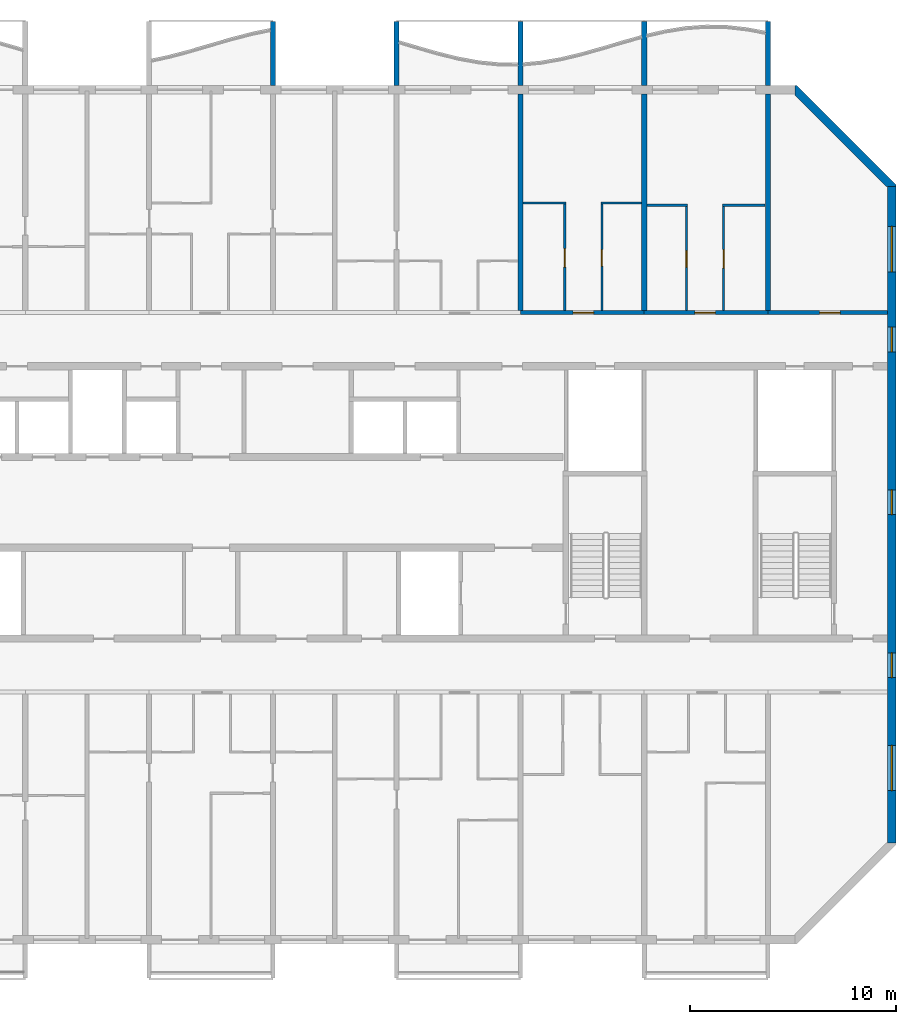
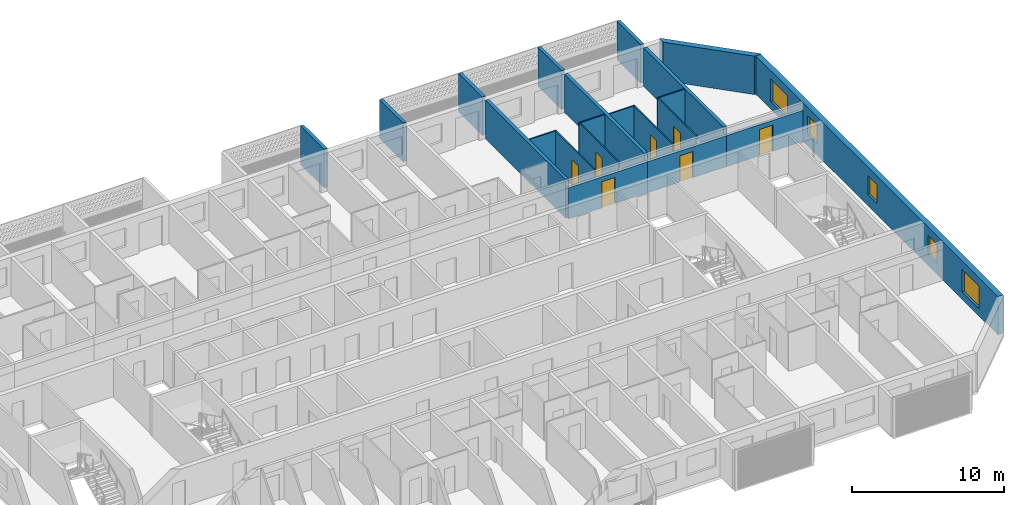
# One storey, part 10 of 26: 21 walls, 7 doors, 5 windows, 12 openings.
"""IFC4 building model written with IfcOpenShell, lengths in metres."""

from ifc_helpers import new_model, si_unit, direction, frame, frame_2d, origin, place, context, subcontext, project, spatial, polyline, rectangle, outline, extrude, source, transform, mapped, material, layer, layer_set, type_object, element, fill, save


model = new_model("IFC4")

# Units and contexts
model_context = context("Model", 3, precision=1e-05, world=origin(), true_north=direction((0.0, 1.0)))
body_context = subcontext(model_context, "Body", "Model", "MODEL_VIEW")
ifc_project = project(units=[si_unit("LENGTHUNIT", "METRE"), si_unit("AREAUNIT", "SQUARE_METRE"), si_unit("VOLUMEUNIT", "CUBIC_METRE"), si_unit("PLANEANGLEUNIT", "RADIAN"), si_unit("MASSUNIT", "GRAM", prefix="KILO")], contexts=[model_context])

# Site, building, storey
site_placement = place(None, origin())
site = spatial("IfcSite", under=ifc_project, at=site_placement, CompositionType="ELEMENT")
building_placement = place(site_placement, origin())
building = spatial("IfcBuilding", under=site, at=building_placement, Name="Poui Terraces", CompositionType="ELEMENT")
storey_placement = place(building_placement, frame((0.0, 0.0, 228.0)))
storey = spatial("IfcBuildingStorey", under=building, at=storey_placement, Name="L63", CompositionType="ELEMENT", Elevation=228.0)

# Wall, opening, door
ifc_material_1 = material(Name="Concrete 50 MPa", Category="concrete")
ifc_layer_1 = layer(ifc_material_1, 0.199951171875)
ifc_layer_set_1 = layer_set([ifc_layer_1], Name="Concrete 50 MPa")
wall_type_1 = type_object("IfcWallType", Name="CORRIDOR WALL 200 50MPa", PredefinedType="SHEAR", material=ifc_layer_set_1)
wall_1_placement = place(storey_placement, frame((66.0, 30.39990234375, 0.0), z_axis=(0.0, 0.0, 1.0), x_axis=(1.0, 0.0, 0.0)))
wall_1 = element("IfcWall", 1, at=wall_1_placement, inside=storey, type_object=wall_type_1, Name="CORRIDOR WALL LINE E BAY 9", PredefinedType="SHEAR", context=body_context, shape_type="SweptSolid", body=[
    extrude(rectangle(XDim=6.0, YDim=0.199951171875, at=frame_2d((3.0, 0.0))), origin(), (0.0, 0.0, 1.0), 2.47998046875),
])
opening_1_placement = place(wall_1_placement, frame((2.550048828125, 0.0, 0.0)))
opening_1 = element("IfcOpeningElement", 2, at=opening_1_placement, cuts=wall_1, Name="Opening FD30S", PredefinedType="OPENING", context=body_context, shape_type="SweptSolid", body=[
    extrude(rectangle(XDim=1.0, YDim=2.10009765625, at=frame_2d((0.5, 1.050048828125))), frame((0.0, 0.10986328125, 0.0), z_axis=(0.0, -1.0, 0.0), x_axis=(1.0, 0.0, 0.0)), (0.0, 0.0, 1.0), 0.219970703125),
])
ifc_material_2 = material(Name="Steel fire door", Category="steel")
door_type_1 = type_object("IfcDoorType", Name="FLAT ENTRANCE DOOR 1000 X 2100", OperationType="NOTDEFINED", PredefinedType="DOOR", material=ifc_material_2)
door_1_placement = place(opening_1_placement, origin())
door_1 = element("IfcDoor", 3, at=door_1_placement, inside=storey, type_object=door_type_1, Name="FLAT ENTRANCE DOOR 052", OperationType="SINGLE_SWING_RIGHT", OverallHeight=2.10009765625, OverallWidth=1.0, PredefinedType="DOOR", context=body_context, shape_type="SweptSolid", body=[
    extrude(rectangle(XDim=1.0, YDim=2.10009765625, at=frame_2d((0.5, 1.050048828125))), frame((0.0, 0.02490234375, 0.0), z_axis=(0.0, -1.0, 0.0), x_axis=(1.0, 0.0, 0.0)), (0.0, 0.0, 1.0), 0.050048828125),
])
fill(opening_1, door_1)

wall_2_placement = place(storey_placement, frame((72.0, 30.39990234375, 0.0), z_axis=(0.0, 0.0, 1.0), x_axis=(1.0, 0.0, 0.0)))
wall_2 = element("IfcWall", 4, at=wall_2_placement, inside=storey, type_object=wall_type_1, Name="CORRIDOR WALL LINE E BAY 10", PredefinedType="SHEAR", context=body_context, shape_type="SweptSolid", body=[
    extrude(rectangle(XDim=6.0, YDim=0.199951171875, at=frame_2d((3.0, 0.0))), origin(), (0.0, 0.0, 1.0), 2.47998046875),
])
opening_2_placement = place(wall_2_placement, frame((2.449951171875, 0.0, 0.0)))
opening_2 = element("IfcOpeningElement", 5, at=opening_2_placement, cuts=wall_2, Name="Opening FD30S", PredefinedType="OPENING", context=body_context, shape_type="SweptSolid", body=[
    extrude(rectangle(XDim=1.0, YDim=2.10009765625, at=frame_2d((0.5, 1.050048828125))), frame((0.0, 0.10986328125, 0.0), z_axis=(0.0, -1.0, 0.0), x_axis=(1.0, 0.0, 0.0)), (0.0, 0.0, 1.0), 0.219970703125),
])
door_2_placement = place(opening_2_placement, origin())
door_2 = element("IfcDoor", 6, at=door_2_placement, inside=storey, type_object=door_type_1, Name="FLAT ENTRANCE DOOR 055", OperationType="SINGLE_SWING_LEFT", OverallHeight=2.10009765625, OverallWidth=1.0, PredefinedType="DOOR", context=body_context, shape_type="SweptSolid", body=[
    extrude(rectangle(XDim=1.0, YDim=2.10009765625, at=frame_2d((0.5, 1.050048828125))), frame((0.0, 0.02490234375, 0.0), z_axis=(0.0, -1.0, 0.0), x_axis=(1.0, 0.0, 0.0)), (0.0, 0.0, 1.0), 0.050048828125),
])
fill(opening_2, door_2)

wall_3_placement = place(storey_placement, frame((78.0, 30.39990234375, 0.0), z_axis=(0.0, 0.0, 1.0), x_axis=(1.0, 0.0, 0.0)))
wall_3 = element("IfcWall", 7, at=wall_3_placement, inside=storey, type_object=wall_type_1, Name="CORRIDOR WALL LINE E BAY 11", PredefinedType="SHEAR", context=body_context, shape_type="SweptSolid", body=[
    extrude(rectangle(XDim=5.800048828125, YDim=0.199951171875, at=frame_2d((2.89990234375, 0.0))), origin(), (0.0, 0.0, 1.0), 2.47998046875),
])
opening_3_placement = place(wall_3_placement, frame((2.5, 0.0, 0.0)))
opening_3 = element("IfcOpeningElement", 8, at=opening_3_placement, cuts=wall_3, Name="Opening D100", PredefinedType="OPENING", context=body_context, shape_type="SweptSolid", body=[
    extrude(rectangle(XDim=1.0, YDim=2.10009765625, at=frame_2d((0.5, 1.050048828125))), frame((0.0, 0.10986328125, 0.0), z_axis=(0.0, -1.0, 0.0), x_axis=(1.0, 0.0, 0.0)), (0.0, 0.0, 1.0), 0.219970703125),
])
ifc_material_3 = material(Name="Solid core timber door", Category="wood")
door_type_2 = type_object("IfcDoorType", Name="ACCESSIBLE INTERNAL DOOR 1000 X 2100", OperationType="NOTDEFINED", PredefinedType="DOOR", material=ifc_material_3)
door_3_placement = place(opening_3_placement, origin())
door_3 = element("IfcDoor", 9, at=door_3_placement, inside=storey, type_object=door_type_2, Name="ACCESSIBLE INTERNAL DOOR 057", OperationType="SINGLE_SWING_LEFT", OverallHeight=2.10009765625, OverallWidth=1.0, PredefinedType="DOOR", context=body_context, shape_type="SweptSolid", body=[
    extrude(rectangle(XDim=1.0, YDim=2.10009765625, at=frame_2d((0.5, 1.050048828125))), frame((0.0, 0.02490234375, 0.0), z_axis=(0.0, -1.0, 0.0), x_axis=(1.0, 0.0, 0.0)), (0.0, 0.0, 1.0), 0.050048828125),
])
fill(opening_3, door_3)

# Walls
ifc_layer_2 = layer(ifc_material_1, 0.25)
ifc_layer_set_2 = layer_set([ifc_layer_2], Name="Concrete 50 MPa")
wall_type_2 = type_object("IfcWallType", Name="CROSS WALL 250 50MPa", PredefinedType="SHEAR", material=ifc_layer_set_2)
for number, where, z_axis, x_axis, name in (
    (10, (66.0, 30.5, 0.0), (0.0, 0.0, 1.0), (0.0, 1.0, 0.0), "CROSS WALL LINE 12 NORTH"),
    (11, (72.0, 30.5, 0.0), (0.0, 0.0, 1.0), (0.0, 1.0, 0.0), "CROSS WALL LINE 13 NORTH"),
    (12, (78.0, 30.5, 0.0), (0.0, 0.0, 1.0), (0.0, 1.0, 0.0), "CROSS WALL LINE 14 NORTH"),
):
    element("IfcWall", number, at=place(storey_placement, frame(where, z_axis=z_axis, x_axis=x_axis)), inside=storey, type_object=wall_type_2, Name=name, PredefinedType="SHEAR", context=body_context, shape_type="SweptSolid", body=[
        extrude(rectangle(XDim=10.5, YDim=0.25, at=frame_2d((5.25, 0.0))), origin(), (0.0, 0.0, 1.0), 3.080078125),
    ])

# Wall, openings, windows
ifc_layer_3 = layer(ifc_material_1, 0.39990234375)
ifc_layer_set_3 = layer_set([ifc_layer_3], Name="Concrete 50 MPa")
wall_type_3 = type_object("IfcWallType", Name="END WALL 400 50MPa", PredefinedType="SHEAR", material=ifc_layer_set_3)
wall_4_placement = place(storey_placement, frame((84.0, 4.682861328125, 0.0), z_axis=(0.0, 0.0, 1.0), x_axis=(0.0, 1.0, 0.0)))
wall_4 = element("IfcWall", 13, at=wall_4_placement, inside=storey, type_object=wall_type_3, Name="END WALL EAST", PredefinedType="SHEAR", context=body_context, shape_type="SweptSolid", body=[
    extrude(rectangle(XDim=31.834228515625, YDim=0.39990234375, at=frame_2d((15.9169921875, 0.0))), origin(), (0.0, 0.0, 1.0), 3.080078125),
])
opening_4_placement = place(wall_4_placement, frame((23.817138671875, 0.0, 0.89990234375)))
opening_4 = element("IfcOpeningElement", 14, at=opening_4_placement, cuts=wall_4, Name="Opening W2", PredefinedType="OPENING", context=body_context, shape_type="SweptSolid", body=[
    extrude(rectangle(XDim=1.199951171875, YDim=1.5, at=frame_2d((0.60009765625, 0.75))), frame((0.0, 0.2099609375, 0.0), z_axis=(0.0, -1.0, 0.0), x_axis=(1.0, 0.0, 0.0)), (0.0, 0.0, 1.0), 0.419921875),
])
opening_5_placement = place(wall_4_placement, frame((8.01708984375, 0.0, 0.89990234375)))
opening_5 = element("IfcOpeningElement", 15, at=opening_5_placement, cuts=wall_4, Name="Opening W2", PredefinedType="OPENING", context=body_context, shape_type="SweptSolid", body=[
    extrude(rectangle(XDim=1.199951171875, YDim=1.5, at=frame_2d((0.60009765625, 0.75))), frame((0.0, 0.2099609375, 0.0), z_axis=(0.0, -1.0, 0.0), x_axis=(1.0, 0.0, 0.0)), (0.0, 0.0, 1.0), 0.419921875),
])
opening_6_placement = place(wall_4_placement, frame((27.693603515625, 0.0, 0.60009765625)))
opening_6 = element("IfcOpeningElement", 16, at=opening_6_placement, cuts=wall_4, Name="Opening W3", PredefinedType="OPENING", context=body_context, shape_type="SweptSolid", body=[
    extrude(rectangle(XDim=2.199951171875, YDim=1.800048828125, at=frame_2d((1.10009765625, 0.89990234375))), frame((0.0, 0.2099609375, 0.0), z_axis=(0.0, -1.0, 0.0), x_axis=(1.0, 0.0, 0.0)), (0.0, 0.0, 1.0), 0.419921875),
])
opening_7_placement = place(wall_4_placement, frame((2.541015625, 0.0, 0.60009765625)))
opening_7 = element("IfcOpeningElement", 17, at=opening_7_placement, cuts=wall_4, Name="Opening W3", PredefinedType="OPENING", context=body_context, shape_type="SweptSolid", body=[
    extrude(rectangle(XDim=2.199951171875, YDim=1.800048828125, at=frame_2d((1.10009765625, 0.89990234375))), frame((0.0, 0.2099609375, 0.0), z_axis=(0.0, -1.0, 0.0), x_axis=(1.0, 0.0, 0.0)), (0.0, 0.0, 1.0), 0.419921875),
])
opening_8_placement = place(wall_4_placement, frame((15.917236328125, 0.0, 0.89990234375)))
opening_8 = element("IfcOpeningElement", 18, at=opening_8_placement, cuts=wall_4, Name="Opening W2", PredefinedType="OPENING", context=body_context, shape_type="SweptSolid", body=[
    extrude(rectangle(XDim=1.199951171875, YDim=1.5, at=frame_2d((0.60009765625, 0.75))), frame((0.0, 0.2099609375, 0.0), z_axis=(0.0, -1.0, 0.0), x_axis=(1.0, 0.0, 0.0)), (0.0, 0.0, 1.0), 0.419921875),
])
ifc_material_4 = material(Name="Clear glass in aluminium frame", Category="aluminium")
window_type_1 = type_object("IfcWindowType", Name="WINDOW 1200X1500", PartitioningType="SINGLE_PANEL", PredefinedType="WINDOW", material=ifc_material_4)
window_1_placement = place(opening_4_placement, origin())
window_1 = element("IfcWindow", 19, at=window_1_placement, inside=storey, type_object=window_type_1, Name="W2 WINDOW", OverallHeight=1.5, OverallWidth=1.199951171875, PartitioningType="SINGLE_PANEL", PredefinedType="WINDOW", context=body_context, shape_type="SweptSolid", body=[
    extrude(rectangle(XDim=1.199951171875, YDim=1.5, at=frame_2d((0.60009765625, 0.75))), frame((0.0, 0.030029296875, 0.0), z_axis=(0.0, -1.0, 0.0), x_axis=(1.0, 0.0, 0.0)), (0.0, 0.0, 1.0), 0.06005859375),
])
fill(opening_4, window_1)
window_2_placement = place(opening_5_placement, origin())
window_2 = element("IfcWindow", 20, at=window_2_placement, inside=storey, type_object=window_type_1, Name="W2 WINDOW", OverallHeight=1.5, OverallWidth=1.199951171875, PartitioningType="SINGLE_PANEL", PredefinedType="WINDOW", context=body_context, shape_type="SweptSolid", body=[
    extrude(rectangle(XDim=1.199951171875, YDim=1.5, at=frame_2d((0.60009765625, 0.75))), frame((0.0, 0.030029296875, 0.0), z_axis=(0.0, -1.0, 0.0), x_axis=(1.0, 0.0, 0.0)), (0.0, 0.0, 1.0), 0.06005859375),
])
fill(opening_5, window_2)
window_3_placement = place(opening_8_placement, origin())
window_3 = element("IfcWindow", 21, at=window_3_placement, inside=storey, type_object=window_type_1, Name="W2 WINDOW", OverallHeight=1.5, OverallWidth=1.199951171875, PartitioningType="SINGLE_PANEL", PredefinedType="WINDOW", context=body_context, shape_type="SweptSolid", body=[
    extrude(rectangle(XDim=1.199951171875, YDim=1.5, at=frame_2d((0.60009765625, 0.75))), frame((0.0, 0.030029296875, 0.0), z_axis=(0.0, -1.0, 0.0), x_axis=(1.0, 0.0, 0.0)), (0.0, 0.0, 1.0), 0.06005859375),
])
fill(opening_8, window_3)
window_type_2 = type_object("IfcWindowType", Name="WINDOW 2200X1800", PartitioningType="DOUBLE_PANEL_HORIZONTAL", PredefinedType="WINDOW", material=ifc_material_4)
window_4_placement = place(opening_6_placement, origin())
window_4 = element("IfcWindow", 22, at=window_4_placement, inside=storey, type_object=window_type_2, Name="W3 WINDOW", OverallHeight=1.800048828125, OverallWidth=2.199951171875, PartitioningType="DOUBLE_PANEL_HORIZONTAL", PredefinedType="WINDOW", context=body_context, shape_type="SweptSolid", body=[
    extrude(rectangle(XDim=2.199951171875, YDim=1.800048828125, at=frame_2d((1.10009765625, 0.89990234375))), frame((0.0, 0.030029296875, 0.0), z_axis=(0.0, -1.0, 0.0), x_axis=(1.0, 0.0, 0.0)), (0.0, 0.0, 1.0), 0.06005859375),
])
fill(opening_6, window_4)
window_5_placement = place(opening_7_placement, origin())
window_5 = element("IfcWindow", 23, at=window_5_placement, inside=storey, type_object=window_type_2, Name="W3 WINDOW", OverallHeight=1.800048828125, OverallWidth=2.199951171875, PartitioningType="DOUBLE_PANEL_HORIZONTAL", PredefinedType="WINDOW", context=body_context, shape_type="SweptSolid", body=[
    extrude(rectangle(XDim=2.199951171875, YDim=1.800048828125, at=frame_2d((1.10009765625, 0.89990234375))), frame((0.0, 0.030029296875, 0.0), z_axis=(0.0, -1.0, 0.0), x_axis=(1.0, 0.0, 0.0)), (0.0, 0.0, 1.0), 0.06005859375),
])
fill(opening_7, window_5)

# Walls
ifc_material_5 = material(Name="Plasterboard partition")
ifc_layer_4 = layer(ifc_material_5, 0.10009765625)
ifc_layer_set_4 = layer_set([ifc_layer_4], Name="Plasterboard partition")
wall_type_4 = type_object("IfcWallType", Name="FLAT PARTITION 100", PredefinedType="PARTITIONING", material=ifc_layer_set_4)
wall_5_placement = place(storey_placement, frame((72.135009765625, 35.60009765625, 0.0), z_axis=(0.0, 0.0, 1.0), x_axis=(1.0, 0.0, 0.0)))
element("IfcWall", 24, at=wall_5_placement, inside=storey, type_object=wall_type_4, Name="FLAT PARTITION 100", PredefinedType="PARTITIONING", context=body_context, shape_type="SweptSolid", body=[
    extrude(rectangle(XDim=1.965087890625, YDim=0.10009765625, at=frame_2d((0.982421875, 0.0))), origin(), (0.0, 0.0, 1.0), 3.080078125),
])
for number, where, z_axis, x_axis, name in (
    (25, (75.800048828125, 35.60009765625, 0.0), (0.0, 0.0, 1.0), (1.0, 0.0, 0.0), "FLAT PARTITION 100"),
    (26, (66.135009765625, 35.699951171875, 0.0), (0.0, 0.0, 1.0), (1.0, 0.0, 0.0), "FLAT PARTITION 100"),
):
    element("IfcWall", number, at=place(storey_placement, frame(where, z_axis=z_axis, x_axis=x_axis)), inside=storey, type_object=wall_type_4, Name=name, PredefinedType="PARTITIONING", context=body_context, shape_type="SweptSolid", body=[
        extrude(rectangle(XDim=2.06494140625, YDim=0.10009765625, at=frame_2d((1.032470703125, 0.0))), origin(), (0.0, 0.0, 1.0), 3.080078125),
    ])
wall_6_placement = place(storey_placement, frame((69.89990234375, 35.699951171875, 0.0), z_axis=(0.0, 0.0, 1.0), x_axis=(1.0, 0.0, 0.0)))
element("IfcWall", 27, at=wall_6_placement, inside=storey, type_object=wall_type_4, Name="FLAT PARTITION 100", PredefinedType="PARTITIONING", context=body_context, shape_type="SweptSolid", body=[
    extrude(rectangle(XDim=1.965087890625, YDim=0.10009765625, at=frame_2d((0.982421875, 0.0))), origin(), (0.0, 0.0, 1.0), 3.080078125),
])

# Wall, opening, door
wall_7_placement = place(storey_placement, frame((68.14990234375, 30.510009765625, 0.0), z_axis=(0.0, 0.0, 1.0), x_axis=(0.0, 1.0, 0.0)))
wall_7 = element("IfcWall", 28, at=wall_7_placement, inside=storey, type_object=wall_type_4, Name="FLAT PARTITION 100", PredefinedType="PARTITIONING", context=body_context, shape_type="SweptSolid", body=[
    extrude(rectangle(XDim=5.139892578125, YDim=0.10009765625, at=frame_2d((2.56982421875, 0.0))), origin(), (0.0, 0.0, 1.0), 3.080078125),
])
opening_9_placement = place(wall_7_placement, frame((2.090087890625, 0.0, 0.0)))
opening_9 = element("IfcOpeningElement", 29, at=opening_9_placement, cuts=wall_7, Name="Opening D90", PredefinedType="OPENING", context=body_context, shape_type="SweptSolid", body=[
    extrude(rectangle(XDim=0.89990234375, YDim=2.10009765625, at=frame_2d((0.449951171875, 1.050048828125))), frame((0.0, 0.06005859375, 0.0), z_axis=(0.0, -1.0, 0.0), x_axis=(1.0, 0.0, 0.0)), (0.0, 0.0, 1.0), 0.1201171875),
])
door_type_3 = type_object("IfcDoorType", Name="INTERNAL DOOR 900 X 2100", OperationType="NOTDEFINED", PredefinedType="DOOR", material=ifc_material_3)
door_4_placement = place(opening_9_placement, origin())
door_4 = element("IfcDoor", 30, at=door_4_placement, inside=storey, type_object=door_type_3, Name="INTERNAL DOOR 051", OperationType="SINGLE_SWING_LEFT", OverallHeight=2.10009765625, OverallWidth=0.89990234375, PredefinedType="DOOR", context=body_context, shape_type="SweptSolid", body=[
    extrude(rectangle(XDim=0.89990234375, YDim=2.10009765625, at=frame_2d((0.449951171875, 1.050048828125))), frame((0.0, 0.02490234375, 0.0), z_axis=(0.0, -1.0, 0.0), x_axis=(1.0, 0.0, 0.0)), (0.0, 0.0, 1.0), 0.050048828125),
])
fill(opening_9, door_4)

wall_8_placement = place(storey_placement, frame((69.949951171875, 30.510009765625, 0.0), z_axis=(0.0, 0.0, 1.0), x_axis=(0.0, 1.0, 0.0)))
wall_8 = element("IfcWall", 31, at=wall_8_placement, inside=storey, type_object=wall_type_4, Name="FLAT PARTITION 100", PredefinedType="PARTITIONING", context=body_context, shape_type="SweptSolid", body=[
    extrude(rectangle(XDim=5.139892578125, YDim=0.10009765625, at=frame_2d((2.56982421875, 0.0))), origin(), (0.0, 0.0, 1.0), 3.080078125),
])
opening_10_placement = place(wall_8_placement, frame((2.139892578125, 0.0, 0.0)))
opening_10 = element("IfcOpeningElement", 32, at=opening_10_placement, cuts=wall_8, Name="Opening D80", PredefinedType="OPENING", context=body_context, shape_type="SweptSolid", body=[
    extrude(rectangle(XDim=0.800048828125, YDim=2.10009765625, at=frame_2d((0.39990234375, 1.050048828125))), frame((0.0, 0.06005859375, 0.0), z_axis=(0.0, -1.0, 0.0), x_axis=(1.0, 0.0, 0.0)), (0.0, 0.0, 1.0), 0.1201171875),
])
door_type_4 = type_object("IfcDoorType", Name="BATHROOM, LAUNDRY AND STORE DOOR 800 X 2100", OperationType="NOTDEFINED", PredefinedType="DOOR", material=ifc_material_3)
door_5_placement = place(opening_10_placement, frame((0.800048828125, 0.0, 0.0), z_axis=(0.0, 0.0, 1.0), x_axis=(-1.0, 0.0, 0.0)))
door_5 = element("IfcDoor", 33, at=door_5_placement, inside=storey, type_object=door_type_4, Name="BATHROOM, LAUNDRY AND STORE DOOR 053", OperationType="SINGLE_SWING_LEFT", OverallHeight=2.10009765625, OverallWidth=0.800048828125, PredefinedType="DOOR", context=body_context, shape_type="SweptSolid", body=[
    extrude(rectangle(XDim=0.800048828125, YDim=2.10009765625, at=frame_2d((0.39990234375, 1.050048828125))), frame((0.0, 0.02490234375, 0.0), z_axis=(0.0, -1.0, 0.0), x_axis=(1.0, 0.0, 0.0)), (0.0, 0.0, 1.0), 0.050048828125),
])
fill(opening_10, door_5)

wall_9_placement = place(storey_placement, frame((74.050048828125, 30.510009765625, 0.0), z_axis=(0.0, 0.0, 1.0), x_axis=(0.0, 1.0, 0.0)))
wall_9 = element("IfcWall", 34, at=wall_9_placement, inside=storey, type_object=wall_type_4, Name="FLAT PARTITION 100", PredefinedType="PARTITIONING", context=body_context, shape_type="SweptSolid", body=[
    extrude(rectangle(XDim=5.0400390625, YDim=0.10009765625, at=frame_2d((2.52001953125, 0.0))), origin(), (0.0, 0.0, 1.0), 3.080078125),
])
opening_11_placement = place(wall_9_placement, frame((2.090087890625, 0.0, 0.0)))
opening_11 = element("IfcOpeningElement", 35, at=opening_11_placement, cuts=wall_9, Name="Opening D80", PredefinedType="OPENING", context=body_context, shape_type="SweptSolid", body=[
    extrude(rectangle(XDim=0.800048828125, YDim=2.10009765625, at=frame_2d((0.39990234375, 1.050048828125))), frame((0.0, 0.06005859375, 0.0), z_axis=(0.0, -1.0, 0.0), x_axis=(1.0, 0.0, 0.0)), (0.0, 0.0, 1.0), 0.1201171875),
])
door_6_placement = place(opening_11_placement, origin())
door_6 = element("IfcDoor", 36, at=door_6_placement, inside=storey, type_object=door_type_4, Name="BATHROOM, LAUNDRY AND STORE DOOR 054", OperationType="SINGLE_SWING_RIGHT", OverallHeight=2.10009765625, OverallWidth=0.800048828125, PredefinedType="DOOR", context=body_context, shape_type="SweptSolid", body=[
    extrude(rectangle(XDim=0.800048828125, YDim=2.10009765625, at=frame_2d((0.39990234375, 1.050048828125))), frame((0.0, 0.02490234375, 0.0), z_axis=(0.0, -1.0, 0.0), x_axis=(1.0, 0.0, 0.0)), (0.0, 0.0, 1.0), 0.050048828125),
])
fill(opening_11, door_6)

wall_10_placement = place(storey_placement, frame((75.85009765625, 30.510009765625, 0.0), z_axis=(0.0, 0.0, 1.0), x_axis=(0.0, 1.0, 0.0)))
wall_10 = element("IfcWall", 37, at=wall_10_placement, inside=storey, type_object=wall_type_4, Name="FLAT PARTITION 100", PredefinedType="PARTITIONING", context=body_context, shape_type="SweptSolid", body=[
    extrude(rectangle(XDim=5.0400390625, YDim=0.10009765625, at=frame_2d((2.52001953125, 0.0))), origin(), (0.0, 0.0, 1.0), 3.080078125),
])
opening_12_placement = place(wall_10_placement, frame((2.0400390625, 0.0, 0.0)))
opening_12 = element("IfcOpeningElement", 38, at=opening_12_placement, cuts=wall_10, Name="Opening D90", PredefinedType="OPENING", context=body_context, shape_type="SweptSolid", body=[
    extrude(rectangle(XDim=0.89990234375, YDim=2.10009765625, at=frame_2d((0.449951171875, 1.050048828125))), frame((0.0, 0.06005859375, 0.0), z_axis=(0.0, -1.0, 0.0), x_axis=(1.0, 0.0, 0.0)), (0.0, 0.0, 1.0), 0.1201171875),
])
door_7_placement = place(opening_12_placement, frame((0.89990234375, 0.0, 0.0), z_axis=(0.0, 0.0, 1.0), x_axis=(-1.0, 0.0, 0.0)))
door_7 = element("IfcDoor", 39, at=door_7_placement, inside=storey, type_object=door_type_3, Name="INTERNAL DOOR 056", OperationType="SINGLE_SWING_RIGHT", OverallHeight=2.10009765625, OverallWidth=0.89990234375, PredefinedType="DOOR", context=body_context, shape_type="SweptSolid", body=[
    extrude(rectangle(XDim=0.89990234375, YDim=2.10009765625, at=frame_2d((0.449951171875, 1.050048828125))), frame((0.0, 0.02490234375, 0.0), z_axis=(0.0, -1.0, 0.0), x_axis=(1.0, 0.0, 0.0)), (0.0, 0.0, 1.0), 0.050048828125),
])
fill(opening_12, door_7)

# Walls
ifc_material_6 = material(Name="Precast concrete 40 MPa", Category="concrete")
ifc_layer_5 = layer(ifc_material_6, 0.39990234375)
ifc_layer_set_5 = layer_set([ifc_layer_5], Name="Precast concrete 40 MPa")
wall_type_5 = type_object("IfcWallType", Name="TERRACOTTA CLAD CHAMFER WALL 400", PredefinedType="STANDARD", material=ifc_layer_set_5)
wall_11_placement = place(storey_placement, origin())
element("IfcWall", 40, at=wall_11_placement, inside=storey, type_object=wall_type_5, Name="CHAMFER WALL CH03", PredefinedType="STANDARD", context=body_context, shape_type="SweptSolid", body=[
    extrude(outline(polyline([(84.199951171875, 36.51708984375), (84.199951171875, 36.60009765625), (79.39990234375, 41.39990234375), (79.317138671875, 41.39990234375), (79.317138671875, 40.917236328125), (83.71728515625, 36.51708984375), (84.199951171875, 36.51708984375)])), origin(), (0.0, 0.0, 1.0), 3.080078125),
])
ifc_layer_6 = layer(ifc_material_6, 0.25)
ifc_layer_set_6 = layer_set([ifc_layer_6], Name="Precast concrete 40 MPa")
wall_type_6 = type_object("IfcWallType", Name="BALCONY FIN 250", PredefinedType="STANDARD", material=ifc_layer_set_6)
shared_shape = source(origin(), body_context, "Body", "SweptSolid", [
    extrude(outline(polyline([(0.0, 0.0), (0.25, 0.0), (0.25, 3.10009765625), (0.0, 3.10009765625), (0.0, 0.0)])), origin(), (0.0, 0.0, 1.0), 3.10009765625),
])
for number, where, name in (
    (41, (53.875, 41.39990234375, 0.0), "BALCONY FIN"),
    (42, (59.875, 41.39990234375, 0.0), "BALCONY FIN"),
    (43, (65.875, 41.39990234375, 0.0), "BALCONY FIN"),
    (44, (71.875, 41.39990234375, 0.0), "BALCONY FIN"),
    (45, (77.875, 41.39990234375, 0.0), "BALCONY FIN"),
):
    element("IfcWall", number, at=place(storey_placement, frame(where)), inside=storey, type_object=wall_type_6, Name=name, PredefinedType="STANDARD", context=body_context, shape_type="MappedRepresentation", body=[
        mapped(shared_shape, transform((0.0, 0.0, 0.0))),
    ])

save(model, "model.ifc")
